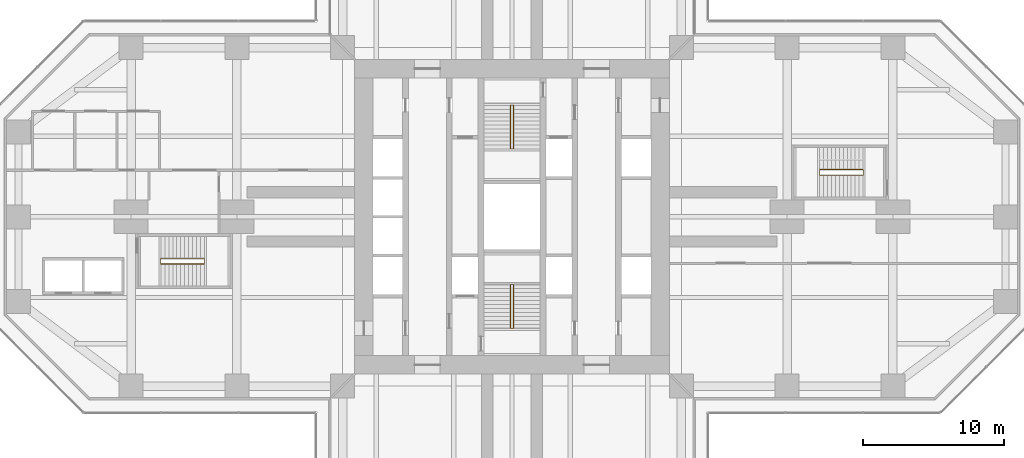
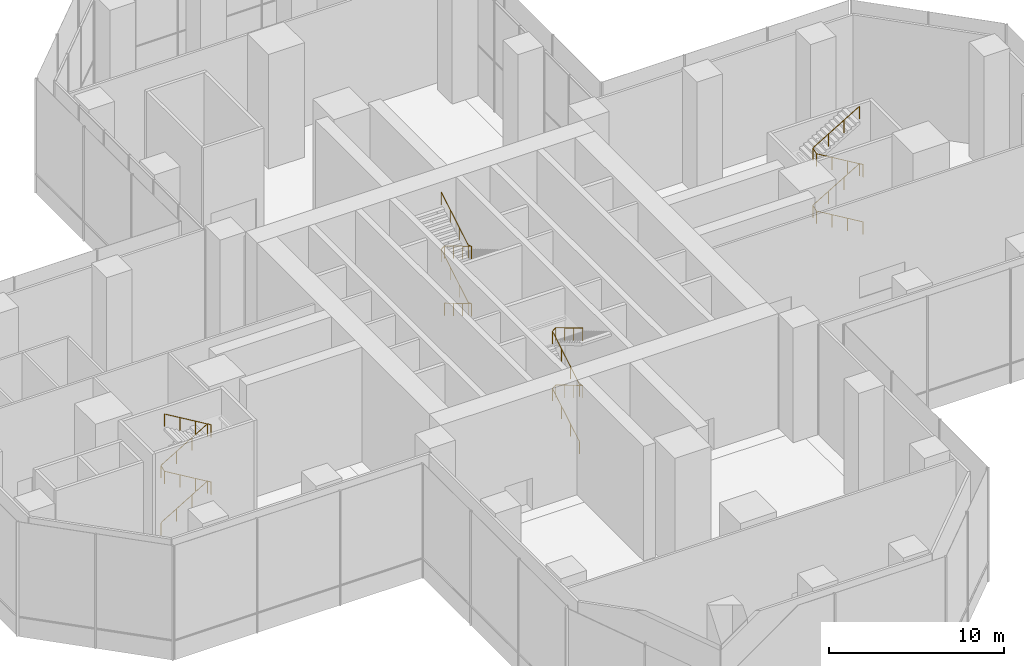
# One storey, part 25 of 25: 4 railings.
"""IFC4 building model written with IfcOpenShell, lengths in metres."""

import ifcopenshell
import ifcopenshell.guid

model = None  # the IFC model being written
_history = None  # IfcOwnerHistory: only IFC2X3 demands one
_inside = {}  # id of a spatial element -> (the spatial element, [elements in it])
_under = {}  # id of a project, library or spatial element -> (it, [spatial elements below it])
_declared = {}  # id of a project -> (the project, [libraries it declares])
_typed = {}  # id of a type object -> (the type object, [elements of that type])
_made_of = {}  # id of a material, layer set ... -> (it, [elements and type objects made of it])


def new_model(schema):
    """Start an empty IFC model of exactly this schema.

    Asked for "IFC4X3", IfcOpenShell would pick the latest addendum, in which some entities
    have other attributes; the version numbers below select the first issue.
    IFC2X3 requires an IfcOwnerHistory on every rooted entity: one is made here for all.
    """
    global model, _history
    if schema == "IFC4X3":
        model = ifcopenshell.file(schema_version=(4, 3, 0, 0))
    else:
        model = ifcopenshell.file(schema=schema)
    _inside.clear()
    _under.clear()
    _declared.clear()
    _typed.clear()
    _made_of.clear()
    _history = None
    if model.schema == "IFC2X3":
        org = make("IfcOrganization", Name="unknown")
        user = make(
            "IfcPersonAndOrganization",
            ThePerson=make("IfcPerson", FamilyName="unknown"),
            TheOrganization=org,
        )
        app = make(
            "IfcApplication",
            ApplicationDeveloper=org,
            Version="unknown",
            ApplicationFullName="unknown",
            ApplicationIdentifier="unknown",
        )
        _history = make(
            "IfcOwnerHistory",
            OwningUser=user,
            OwningApplication=app,
            ChangeAction="ADDED",
            CreationDate=0,
        )
    return model


def make(cls, **values):
    """One entity of the class cls with the attributes given. An attribute that is None is left unset."""
    return model.create_entity(
        cls, **{name: value for name, value in values.items() if value is not None}
    )


def rooted(cls, **values):
    """An entity with a GlobalId (a new one), such as an element, a storey or a relation."""
    return make(cls, GlobalId=ifcopenshell.guid.new(), OwnerHistory=_history, **values)


def si_unit(unit_type, name, prefix=None):
    """IfcSIUnit, for example si_unit("LENGTHUNIT", "METRE", prefix="MILLI")."""
    return make("IfcSIUnit", UnitType=unit_type, Prefix=prefix, Name=name)


def assignment(units):
    """IfcUnitAssignment: the units of a project."""
    return None if units is None else make("IfcUnitAssignment", Units=units)


def point(xyz):
    """IfcCartesianPoint."""
    return None if xyz is None else make("IfcCartesianPoint", Coordinates=xyz)


def direction(xyz):
    """IfcDirection."""
    return None if xyz is None else make("IfcDirection", DirectionRatios=xyz)


def frame(location, z_axis=None, x_axis=None):
    """IfcAxis2Placement3D, a coordinate frame: its origin and axes. An axis left out is left unset."""
    return make(
        "IfcAxis2Placement3D",
        Location=point(location),
        Axis=direction(z_axis),
        RefDirection=direction(x_axis),
    )


def frame_2d(location, x_axis=None):
    """IfcAxis2Placement2D, a coordinate frame in the plane: its origin and x axis."""
    return make(
        "IfcAxis2Placement2D", Location=point(location), RefDirection=direction(x_axis)
    )


def origin():
    """The frame at (0, 0, 0) with its axes left unset."""
    return frame((0.0, 0.0, 0.0))


def origin_2d():
    """The frame at (0, 0) in the plane with its x axis left unset."""
    return frame_2d((0.0, 0.0))


def place(relative_to, where):
    """IfcLocalPlacement: puts the frame where relative to a parent placement (None: the world)."""
    return make(
        "IfcLocalPlacement", PlacementRelTo=relative_to, RelativePlacement=where
    )


def context(
    kind, dimensions, precision=None, world=None, true_north=None, identifier=None
):
    """IfcGeometricRepresentationContext, for example the 3D "Model" context."""
    return make(
        "IfcGeometricRepresentationContext",
        ContextIdentifier=identifier,
        ContextType=kind,
        CoordinateSpaceDimension=dimensions,
        Precision=precision,
        WorldCoordinateSystem=world,
        TrueNorth=true_north,
    )


def subcontext(parent, identifier, kind, view, scale=None):
    """IfcGeometricRepresentationSubContext, for example "Body" below "Model"."""
    return make(
        "IfcGeometricRepresentationSubContext",
        ContextIdentifier=identifier,
        ContextType=kind,
        ParentContext=parent,
        TargetScale=scale,
        TargetView=view,
    )


def project(units=None, contexts=None):
    """IfcProject with its units and contexts."""
    return rooted(
        "IfcProject",
        Name="project",
        RepresentationContexts=contexts,
        UnitsInContext=assignment(units),
    )


def spatial(cls, under=None, at=None, **own):
    """A site, building, storey or space (cls), placed at a placement, below another one or the project."""
    s = rooted(cls, ObjectPlacement=at, **own)
    if under is not None:
        _under.setdefault(under.id(), (under, []))[1].append(s)
    return s


def profile(cls, at=None, kind="AREA", **sizes):
    """A parametric profile (cls). Its sizes go by their IFC names, for example OverallWidth=200.0."""
    return make(cls, ProfileType=kind, Position=at, **sizes)


def circle(**sizes):
    """IfcCircleProfileDef."""
    return profile("IfcCircleProfileDef", **sizes)


def extrude(swept, where, along, depth):
    """IfcExtrudedAreaSolid: the profile swept, set in the frame where, extruded along a direction by depth."""
    return make(
        "IfcExtrudedAreaSolid",
        SweptArea=swept,
        Position=where,
        ExtrudedDirection=direction(along),
        Depth=depth,
    )


def shape(context_of_items, identifier, shape_type, items):
    """IfcShapeRepresentation: the items that make up one representation, for example the "Body"."""
    return make(
        "IfcShapeRepresentation",
        ContextOfItems=context_of_items,
        RepresentationIdentifier=identifier,
        RepresentationType=shape_type,
        Items=items,
    )


def material(Name=None, Category=None):
    """IfcMaterial."""
    return make("IfcMaterial", Name=Name, Category=Category)


def made_of(thing, what):
    """Note that an element or type object is made of a material, layer set ...; save() writes the relation."""
    if what is not None:
        _made_of.setdefault(what.id(), (what, []))[1].append(thing)
    return thing


def type_object(cls, material=None, **own):
    """A type object (cls), such as IfcWallType, which elements share."""
    return made_of(rooted(cls, **own), material)


def element(
    cls,
    number,
    at=None,
    inside=None,
    cuts=None,
    type_object=None,
    material=None,
    context=None,
    identifier="Body",
    shape_type=None,
    held_by="IfcProductDefinitionShape",
    body=None,
    shapes=None,
    **own,
):
    """One element of the class cls, such as IfcWall. Its Tag is "e" and its number.

    at: its placement. inside: the storey or other place that contains it. cuts: it is an
    opening in that element (IfcRelVoidsElement). A single representation is given by context,
    identifier, shape_type and body (its items); several are given by shapes. held_by: the class
    of the entity that holds the representations. save() writes the other relations.
    """
    e = rooted(cls, Tag="e%d" % number, ObjectPlacement=at, **own)
    if body is not None:
        shapes = [shape(context, identifier, shape_type, body)]
    if shapes is not None:
        e.Representation = make(held_by, Representations=shapes)
    if inside is not None:
        _inside.setdefault(inside.id(), (inside, []))[1].append(e)
    if cuts is not None:
        rooted(
            "IfcRelVoidsElement", RelatingBuildingElement=cuts, RelatedOpeningElement=e
        )
    if type_object is not None:
        _typed.setdefault(type_object.id(), (type_object, []))[1].append(e)
    return made_of(e, material)


def aggregate(whole, parts):
    """IfcRelAggregates: a whole, such as a stair, and the parts it consists of."""
    return rooted("IfcRelAggregates", RelatingObject=whole, RelatedObjects=parts)


def save(model, path):
    """Write the relations noted so far, then the file.

    IfcRelAggregates (storeys below a building ...), IfcRelContainedInSpatialStructure (elements
    in a storey), IfcRelDefinesByType, IfcRelAssociatesMaterial and IfcRelDeclares: one each for
    every whole, place, type object, material and project.
    """
    for whole, parts in _under.values():
        aggregate(whole, parts)
    for where, things in _inside.values():
        rooted(
            "IfcRelContainedInSpatialStructure",
            RelatedElements=things,
            RelatingStructure=where,
        )
    for kind, things in _typed.values():
        rooted("IfcRelDefinesByType", RelatedObjects=things, RelatingType=kind)
    for what, things in _made_of.values():
        rooted("IfcRelAssociatesMaterial", RelatedObjects=things, RelatingMaterial=what)
    for by, libraries in _declared.values():
        rooted("IfcRelDeclares", RelatingContext=by, RelatedDefinitions=libraries)
    model.write(path)


model = new_model("IFC4")

# Units and contexts
model_context = context("Model", 3, precision=1e-05, world=origin(), true_north=direction((0.0, 1.0)))
body_context = subcontext(model_context, "Body", "Model", "MODEL_VIEW")
ifc_project = project(units=[si_unit("LENGTHUNIT", "METRE"), si_unit("AREAUNIT", "SQUARE_METRE"), si_unit("VOLUMEUNIT", "CUBIC_METRE"), si_unit("PLANEANGLEUNIT", "RADIAN"), si_unit("MASSUNIT", "GRAM", prefix="KILO")], contexts=[model_context])

# Site, building, storey
site_placement = place(None, origin())
site = spatial("IfcSite", under=ifc_project, at=site_placement, CompositionType="ELEMENT")
building_placement = place(site_placement, origin())
building = spatial("IfcBuilding", under=site, at=building_placement, Name="Mizan Broadcast Tower", CompositionType="ELEMENT")
storey_placement = place(building_placement, frame((0.0, 0.0, 15.0)))
storey = spatial("IfcBuildingStorey", under=building, at=storey_placement, Name="L02", CompositionType="ELEMENT", Elevation=15.0)

# Railings
ifc_material = material(Name="Stainless steel", Category="steel")
railing_type = type_object("IfcRailingType", Name="HANDRAIL 50", PredefinedType="HANDRAIL", material=ifc_material)
railing_1_placement = place(storey_placement, frame((-0.110107421875, -7.89990234375, 0.166748046875)))
element("IfcRailing", 1, at=railing_1_placement, inside=storey, type_object=railing_type, Name="Stair A handrail", PredefinedType="HANDRAIL", context=body_context, shape_type="SweptSolid", body=[
    extrude(circle(Radius=0.02392578125, at=origin_2d()), frame((0.0, 0.0, 0.8759765625), z_axis=(0.0, 0.859290745958, 0.51148745235), x_axis=(-1.0, 0.0, 0.0)), (0.0, 0.0, 1.0), 3.584228515625),
    extrude(circle(Radius=0.02392578125, at=origin_2d()), frame((0.0, 3.079833984375, 2.708984375), z_axis=(0.7972339343, 0.0, 0.60367048462), x_axis=(0.0, 1.0, 0.0)), (0.0, 0.0, 1.0), 0.276123046875),
    extrude(circle(Radius=0.02392578125, at=origin_2d()), frame((0.22021484375, 3.079833984375, 2.8759765625), z_axis=(0.0, -0.859290745958, 0.51148745235), x_axis=(1.0, 0.0, 0.0)), (0.0, 0.0, 1.0), 3.584228515625),
    extrude(circle(Radius=0.02392578125, at=origin_2d()), frame((0.22021484375, 0.0, 4.708984375), z_axis=(-0.7972339343, 0.0, 0.60367048462), x_axis=(0.0, -1.0, 0.0)), (0.0, 0.0, 1.0), 0.276123046875),
    extrude(circle(Radius=0.02392578125, at=origin_2d()), frame((0.0, 0.0, 4.8759765625), z_axis=(0.0, 0.859290745958, 0.51148745235), x_axis=(-1.0, 0.0, 0.0)), (0.0, 0.0, 1.0), 3.584228515625),
    extrude(circle(Radius=0.02392578125, at=origin_2d()), frame((0.0, 3.079833984375, 6.708984375), z_axis=(0.7972339343, 0.0, 0.60367048462), x_axis=(0.0, 1.0, 0.0)), (0.0, 0.0, 1.0), 0.276123046875),
    extrude(circle(Radius=0.02392578125, at=origin_2d()), frame((0.22021484375, 3.079833984375, 6.8759765625), z_axis=(0.0, -0.859290745958, 0.51148745235), x_axis=(1.0, 0.0, 0.0)), (0.0, 0.0, 1.0), 3.584228515625),
    extrude(circle(Radius=0.02099609375, at=origin_2d()), origin(), (0.0, 0.0, 1.0), 0.851806640625),
    extrude(circle(Radius=0.02099609375, at=origin_2d()), frame((0.0, 1.026611328125, 0.611083984375)), (0.0, 0.0, 1.0), 0.851806640625),
    extrude(circle(Radius=0.02099609375, at=origin_2d()), frame((0.0, 2.05322265625, 1.22216796875)), (0.0, 0.0, 1.0), 0.851806640625),
    extrude(circle(Radius=0.02099609375, at=origin_2d()), frame((0.0, 3.079833984375, 1.833251953125)), (0.0, 0.0, 1.0), 0.851806640625),
    extrude(circle(Radius=0.02099609375, at=origin_2d()), frame((0.22021484375, 3.079833984375, 2.0)), (0.0, 0.0, 1.0), 0.851806640625),
    extrude(circle(Radius=0.02099609375, at=origin_2d()), frame((0.22021484375, 2.05322265625, 2.611083984375)), (0.0, 0.0, 1.0), 0.851806640625),
    extrude(circle(Radius=0.02099609375, at=origin_2d()), frame((0.22021484375, 1.026611328125, 3.22216796875)), (0.0, 0.0, 1.0), 0.851806640625),
    extrude(circle(Radius=0.02099609375, at=origin_2d()), frame((0.22021484375, 0.0, 3.833251953125)), (0.0, 0.0, 1.0), 0.851806640625),
    extrude(circle(Radius=0.02099609375, at=origin_2d()), frame((0.0, 0.0, 4.0)), (0.0, 0.0, 1.0), 0.851806640625),
    extrude(circle(Radius=0.02099609375, at=origin_2d()), frame((0.0, 1.026611328125, 4.611083984375)), (0.0, 0.0, 1.0), 0.851806640625),
    extrude(circle(Radius=0.02099609375, at=origin_2d()), frame((0.0, 2.05322265625, 5.22216796875)), (0.0, 0.0, 1.0), 0.851806640625),
    extrude(circle(Radius=0.02099609375, at=origin_2d()), frame((0.0, 3.079833984375, 5.833251953125)), (0.0, 0.0, 1.0), 0.851806640625),
    extrude(circle(Radius=0.02099609375, at=origin_2d()), frame((0.22021484375, 3.079833984375, 6.0)), (0.0, 0.0, 1.0), 0.851806640625),
    extrude(circle(Radius=0.02099609375, at=origin_2d()), frame((0.22021484375, 2.05322265625, 6.611083984375)), (0.0, 0.0, 1.0), 0.851806640625),
    extrude(circle(Radius=0.02099609375, at=origin_2d()), frame((0.22021484375, 1.026611328125, 7.22216796875)), (0.0, 0.0, 1.0), 0.851806640625),
    extrude(circle(Radius=0.02099609375, at=origin_2d()), frame((0.22021484375, 0.0, 7.833251953125)), (0.0, 0.0, 1.0), 0.851806640625),
])
railing_2_placement = place(storey_placement, frame((0.110107421875, 7.89990234375, 0.166748046875)))
element("IfcRailing", 2, at=railing_2_placement, inside=storey, type_object=railing_type, Name="Stair B handrail", PredefinedType="HANDRAIL", context=body_context, shape_type="SweptSolid", body=[
    extrude(circle(Radius=0.02392578125, at=origin_2d()), frame((0.0, 0.0, 0.8759765625), z_axis=(0.0, -0.859290745958, 0.51148745235), x_axis=(1.0, 0.0, 0.0)), (0.0, 0.0, 1.0), 3.584228515625),
    extrude(circle(Radius=0.02392578125, at=origin_2d()), frame((0.0, -3.079833984375, 2.708984375), z_axis=(-0.7972339343, 0.0, 0.60367048462), x_axis=(0.0, -1.0, 0.0)), (0.0, 0.0, 1.0), 0.276123046875),
    extrude(circle(Radius=0.02392578125, at=origin_2d()), frame((-0.22021484375, -3.079833984375, 2.8759765625), z_axis=(0.0, 0.859290745958, 0.51148745235), x_axis=(-1.0, 0.0, 0.0)), (0.0, 0.0, 1.0), 3.584228515625),
    extrude(circle(Radius=0.02392578125, at=origin_2d()), frame((-0.22021484375, 0.0, 4.708984375), z_axis=(0.7972339343, 0.0, 0.60367048462), x_axis=(0.0, 1.0, 0.0)), (0.0, 0.0, 1.0), 0.276123046875),
    extrude(circle(Radius=0.02392578125, at=origin_2d()), frame((0.0, 0.0, 4.8759765625), z_axis=(0.0, -0.859290745958, 0.51148745235), x_axis=(1.0, 0.0, 0.0)), (0.0, 0.0, 1.0), 3.584228515625),
    extrude(circle(Radius=0.02392578125, at=origin_2d()), frame((0.0, -3.079833984375, 6.708984375), z_axis=(-0.7972339343, 0.0, 0.60367048462), x_axis=(0.0, -1.0, 0.0)), (0.0, 0.0, 1.0), 0.276123046875),
    extrude(circle(Radius=0.02392578125, at=origin_2d()), frame((-0.22021484375, -3.079833984375, 6.8759765625), z_axis=(0.0, 0.859290745958, 0.51148745235), x_axis=(-1.0, 0.0, 0.0)), (0.0, 0.0, 1.0), 3.584228515625),
    extrude(circle(Radius=0.02099609375, at=origin_2d()), origin(), (0.0, 0.0, 1.0), 0.851806640625),
    extrude(circle(Radius=0.02099609375, at=origin_2d()), frame((0.0, -1.026611328125, 0.611083984375)), (0.0, 0.0, 1.0), 0.851806640625),
    extrude(circle(Radius=0.02099609375, at=origin_2d()), frame((0.0, -2.05322265625, 1.22216796875)), (0.0, 0.0, 1.0), 0.851806640625),
    extrude(circle(Radius=0.02099609375, at=origin_2d()), frame((0.0, -3.079833984375, 1.833251953125)), (0.0, 0.0, 1.0), 0.851806640625),
    extrude(circle(Radius=0.02099609375, at=origin_2d()), frame((-0.22021484375, -3.079833984375, 2.0)), (0.0, 0.0, 1.0), 0.851806640625),
    extrude(circle(Radius=0.02099609375, at=origin_2d()), frame((-0.22021484375, -2.05322265625, 2.611083984375)), (0.0, 0.0, 1.0), 0.851806640625),
    extrude(circle(Radius=0.02099609375, at=origin_2d()), frame((-0.22021484375, -1.026611328125, 3.22216796875)), (0.0, 0.0, 1.0), 0.851806640625),
    extrude(circle(Radius=0.02099609375, at=origin_2d()), frame((-0.22021484375, 0.0, 3.833251953125)), (0.0, 0.0, 1.0), 0.851806640625),
    extrude(circle(Radius=0.02099609375, at=origin_2d()), frame((0.0, 0.0, 4.0)), (0.0, 0.0, 1.0), 0.851806640625),
    extrude(circle(Radius=0.02099609375, at=origin_2d()), frame((0.0, -1.026611328125, 4.611083984375)), (0.0, 0.0, 1.0), 0.851806640625),
    extrude(circle(Radius=0.02099609375, at=origin_2d()), frame((0.0, -2.05322265625, 5.22216796875)), (0.0, 0.0, 1.0), 0.851806640625),
    extrude(circle(Radius=0.02099609375, at=origin_2d()), frame((0.0, -3.079833984375, 5.833251953125)), (0.0, 0.0, 1.0), 0.851806640625),
    extrude(circle(Radius=0.02099609375, at=origin_2d()), frame((-0.22021484375, -3.079833984375, 6.0)), (0.0, 0.0, 1.0), 0.851806640625),
    extrude(circle(Radius=0.02099609375, at=origin_2d()), frame((-0.22021484375, -2.05322265625, 6.611083984375)), (0.0, 0.0, 1.0), 0.851806640625),
    extrude(circle(Radius=0.02099609375, at=origin_2d()), frame((-0.22021484375, -1.026611328125, 7.22216796875)), (0.0, 0.0, 1.0), 0.851806640625),
    extrude(circle(Radius=0.02099609375, at=origin_2d()), frame((-0.22021484375, 0.0, 7.833251953125)), (0.0, 0.0, 1.0), 0.851806640625),
])
railing_3_placement = place(storey_placement, frame((24.889892578125, 2.949951171875, 0.166748046875)))
element("IfcRailing", 3, at=railing_3_placement, inside=storey, type_object=railing_type, Name="Stair C handrail", PredefinedType="HANDRAIL", context=body_context, shape_type="SweptSolid", body=[
    extrude(circle(Radius=0.02392578125, at=origin_2d()), frame((0.0, 0.0, 0.8759765625), z_axis=(-0.859290745958, 0.0, 0.51148745235), x_axis=(0.0, -1.0, 0.0)), (0.0, 0.0, 1.0), 3.584228515625),
    extrude(circle(Radius=0.02392578125, at=origin_2d()), frame((-3.079833984375, 0.0, 2.708984375), z_axis=(0.0, 0.923060259932, 0.384655373724), x_axis=(-1.0, 0.0, 0.0)), (0.0, 0.0, 1.0), 0.43359375),
    extrude(circle(Radius=0.02392578125, at=origin_2d()), frame((-3.079833984375, 0.400146484375, 2.8759765625), z_axis=(0.859290745958, 0.0, 0.51148745235), x_axis=(0.0, 1.0, 0.0)), (0.0, 0.0, 1.0), 3.584228515625),
    extrude(circle(Radius=0.02392578125, at=origin_2d()), frame((0.0, 0.400146484375, 4.708984375), z_axis=(0.0, -0.923060259932, 0.384655373724), x_axis=(1.0, 0.0, 0.0)), (0.0, 0.0, 1.0), 0.43359375),
    extrude(circle(Radius=0.02392578125, at=origin_2d()), frame((0.0, 0.0, 4.8759765625), z_axis=(-0.859290745958, 0.0, 0.51148745235), x_axis=(0.0, -1.0, 0.0)), (0.0, 0.0, 1.0), 3.584228515625),
    extrude(circle(Radius=0.02392578125, at=origin_2d()), frame((-3.079833984375, 0.0, 6.708984375), z_axis=(0.0, 0.923060259932, 0.384655373724), x_axis=(-1.0, 0.0, 0.0)), (0.0, 0.0, 1.0), 0.43359375),
    extrude(circle(Radius=0.02392578125, at=origin_2d()), frame((-3.079833984375, 0.400146484375, 6.8759765625), z_axis=(0.859290745958, 0.0, 0.51148745235), x_axis=(0.0, 1.0, 0.0)), (0.0, 0.0, 1.0), 3.584228515625),
    extrude(circle(Radius=0.02099609375, at=origin_2d()), origin(), (0.0, 0.0, 1.0), 0.851806640625),
    extrude(circle(Radius=0.02099609375, at=origin_2d()), frame((-1.026611328125, 0.0, 0.611083984375)), (0.0, 0.0, 1.0), 0.851806640625),
    extrude(circle(Radius=0.02099609375, at=origin_2d()), frame((-2.05322265625, 0.0, 1.22216796875)), (0.0, 0.0, 1.0), 0.851806640625),
    extrude(circle(Radius=0.02099609375, at=origin_2d()), frame((-3.079833984375, 0.0, 1.833251953125)), (0.0, 0.0, 1.0), 0.851806640625),
    extrude(circle(Radius=0.02099609375, at=origin_2d()), frame((-3.079833984375, 0.400146484375, 2.0)), (0.0, 0.0, 1.0), 0.851806640625),
    extrude(circle(Radius=0.02099609375, at=origin_2d()), frame((-2.05322265625, 0.400146484375, 2.611083984375)), (0.0, 0.0, 1.0), 0.851806640625),
    extrude(circle(Radius=0.02099609375, at=origin_2d()), frame((-1.026611328125, 0.400146484375, 3.22216796875)), (0.0, 0.0, 1.0), 0.851806640625),
    extrude(circle(Radius=0.02099609375, at=origin_2d()), frame((0.0, 0.400146484375, 3.833251953125)), (0.0, 0.0, 1.0), 0.851806640625),
    extrude(circle(Radius=0.02099609375, at=origin_2d()), frame((0.0, 0.0, 4.0)), (0.0, 0.0, 1.0), 0.851806640625),
    extrude(circle(Radius=0.02099609375, at=origin_2d()), frame((-1.026611328125, 0.0, 4.611083984375)), (0.0, 0.0, 1.0), 0.851806640625),
    extrude(circle(Radius=0.02099609375, at=origin_2d()), frame((-2.05322265625, 0.0, 5.22216796875)), (0.0, 0.0, 1.0), 0.851806640625),
    extrude(circle(Radius=0.02099609375, at=origin_2d()), frame((-3.079833984375, 0.0, 5.833251953125)), (0.0, 0.0, 1.0), 0.851806640625),
    extrude(circle(Radius=0.02099609375, at=origin_2d()), frame((-3.079833984375, 0.400146484375, 6.0)), (0.0, 0.0, 1.0), 0.851806640625),
    extrude(circle(Radius=0.02099609375, at=origin_2d()), frame((-2.05322265625, 0.400146484375, 6.611083984375)), (0.0, 0.0, 1.0), 0.851806640625),
    extrude(circle(Radius=0.02099609375, at=origin_2d()), frame((-1.026611328125, 0.400146484375, 7.22216796875)), (0.0, 0.0, 1.0), 0.851806640625),
    extrude(circle(Radius=0.02099609375, at=origin_2d()), frame((0.0, 0.400146484375, 7.833251953125)), (0.0, 0.0, 1.0), 0.851806640625),
])
railing_4_placement = place(storey_placement, frame((-24.889892578125, -2.949951171875, 0.166748046875)))
element("IfcRailing", 4, at=railing_4_placement, inside=storey, type_object=railing_type, Name="Stair D handrail", PredefinedType="HANDRAIL", context=body_context, shape_type="SweptSolid", body=[
    extrude(circle(Radius=0.02392578125, at=origin_2d()), frame((0.0, 0.0, 0.8759765625), z_axis=(0.859290745958, 0.0, 0.51148745235), x_axis=(0.0, 1.0, 0.0)), (0.0, 0.0, 1.0), 3.584228515625),
    extrude(circle(Radius=0.02392578125, at=origin_2d()), frame((3.079833984375, 0.0, 2.708984375), z_axis=(0.0, -0.923060259932, 0.384655373724), x_axis=(1.0, 0.0, 0.0)), (0.0, 0.0, 1.0), 0.43359375),
    extrude(circle(Radius=0.02392578125, at=origin_2d()), frame((3.079833984375, -0.400146484375, 2.8759765625), z_axis=(-0.859290745958, 0.0, 0.51148745235), x_axis=(0.0, -1.0, 0.0)), (0.0, 0.0, 1.0), 3.584228515625),
    extrude(circle(Radius=0.02392578125, at=origin_2d()), frame((0.0, -0.400146484375, 4.708984375), z_axis=(0.0, 0.923060259932, 0.384655373724), x_axis=(-1.0, 0.0, 0.0)), (0.0, 0.0, 1.0), 0.43359375),
    extrude(circle(Radius=0.02392578125, at=origin_2d()), frame((0.0, 0.0, 4.8759765625), z_axis=(0.859290745958, 0.0, 0.51148745235), x_axis=(0.0, 1.0, 0.0)), (0.0, 0.0, 1.0), 3.584228515625),
    extrude(circle(Radius=0.02392578125, at=origin_2d()), frame((3.079833984375, 0.0, 6.708984375), z_axis=(0.0, -0.923060259932, 0.384655373724), x_axis=(1.0, 0.0, 0.0)), (0.0, 0.0, 1.0), 0.43359375),
    extrude(circle(Radius=0.02392578125, at=origin_2d()), frame((3.079833984375, -0.400146484375, 6.8759765625), z_axis=(-0.859290745958, 0.0, 0.51148745235), x_axis=(0.0, -1.0, 0.0)), (0.0, 0.0, 1.0), 3.584228515625),
    extrude(circle(Radius=0.02099609375, at=origin_2d()), origin(), (0.0, 0.0, 1.0), 0.851806640625),
    extrude(circle(Radius=0.02099609375, at=origin_2d()), frame((1.026611328125, 0.0, 0.611083984375)), (0.0, 0.0, 1.0), 0.851806640625),
    extrude(circle(Radius=0.02099609375, at=origin_2d()), frame((2.05322265625, 0.0, 1.22216796875)), (0.0, 0.0, 1.0), 0.851806640625),
    extrude(circle(Radius=0.02099609375, at=origin_2d()), frame((3.079833984375, 0.0, 1.833251953125)), (0.0, 0.0, 1.0), 0.851806640625),
    extrude(circle(Radius=0.02099609375, at=origin_2d()), frame((3.079833984375, -0.400146484375, 2.0)), (0.0, 0.0, 1.0), 0.851806640625),
    extrude(circle(Radius=0.02099609375, at=origin_2d()), frame((2.05322265625, -0.400146484375, 2.611083984375)), (0.0, 0.0, 1.0), 0.851806640625),
    extrude(circle(Radius=0.02099609375, at=origin_2d()), frame((1.026611328125, -0.400146484375, 3.22216796875)), (0.0, 0.0, 1.0), 0.851806640625),
    extrude(circle(Radius=0.02099609375, at=origin_2d()), frame((0.0, -0.400146484375, 3.833251953125)), (0.0, 0.0, 1.0), 0.851806640625),
    extrude(circle(Radius=0.02099609375, at=origin_2d()), frame((0.0, 0.0, 4.0)), (0.0, 0.0, 1.0), 0.851806640625),
    extrude(circle(Radius=0.02099609375, at=origin_2d()), frame((1.026611328125, 0.0, 4.611083984375)), (0.0, 0.0, 1.0), 0.851806640625),
    extrude(circle(Radius=0.02099609375, at=origin_2d()), frame((2.05322265625, 0.0, 5.22216796875)), (0.0, 0.0, 1.0), 0.851806640625),
    extrude(circle(Radius=0.02099609375, at=origin_2d()), frame((3.079833984375, 0.0, 5.833251953125)), (0.0, 0.0, 1.0), 0.851806640625),
    extrude(circle(Radius=0.02099609375, at=origin_2d()), frame((3.079833984375, -0.400146484375, 6.0)), (0.0, 0.0, 1.0), 0.851806640625),
    extrude(circle(Radius=0.02099609375, at=origin_2d()), frame((2.05322265625, -0.400146484375, 6.611083984375)), (0.0, 0.0, 1.0), 0.851806640625),
    extrude(circle(Radius=0.02099609375, at=origin_2d()), frame((1.026611328125, -0.400146484375, 7.22216796875)), (0.0, 0.0, 1.0), 0.851806640625),
    extrude(circle(Radius=0.02099609375, at=origin_2d()), frame((0.0, -0.400146484375, 7.833251953125)), (0.0, 0.0, 1.0), 0.851806640625),
])

save(model, "model.ifc")
